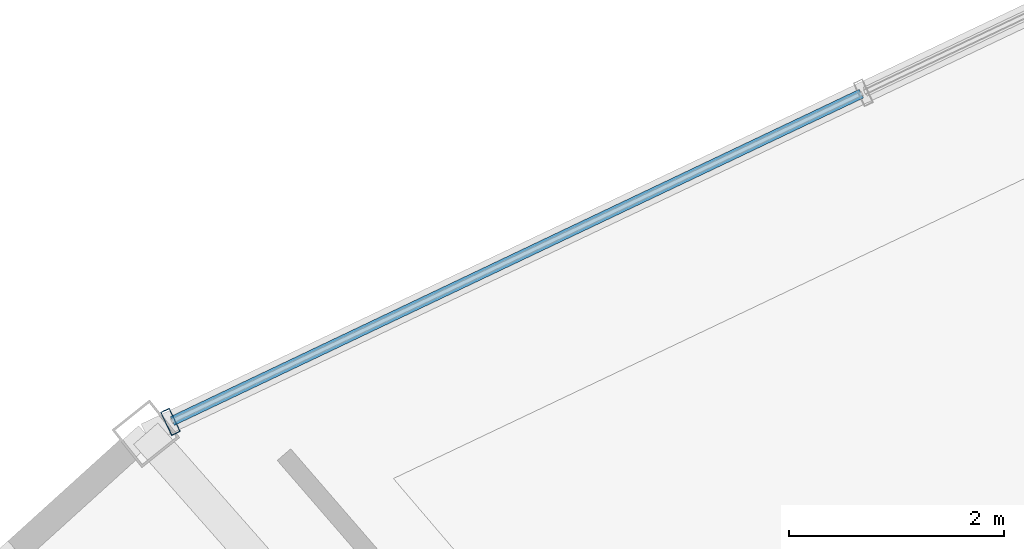
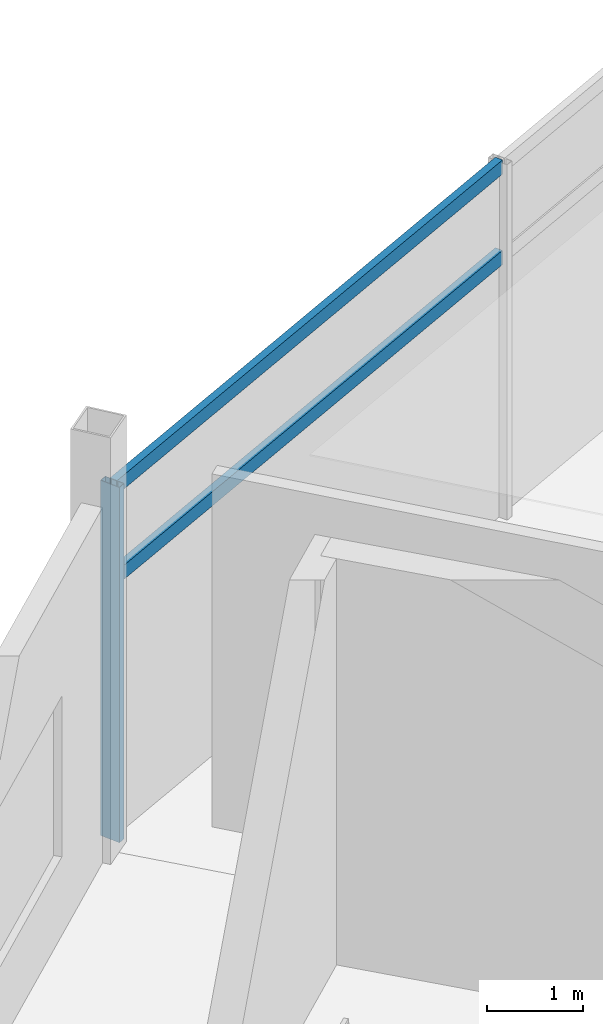
# One storey, part 51 of 103: 3 members, 1 element without a shape of its own.
"""IFC4 building model written with IfcOpenShell, lengths in metres."""

import ifcopenshell
import ifcopenshell.guid

model = None  # the IFC model being written
_history = None  # IfcOwnerHistory: only IFC2X3 demands one
_inside = {}  # id of a spatial element -> (the spatial element, [elements in it])
_under = {}  # id of a project, library or spatial element -> (it, [spatial elements below it])
_declared = {}  # id of a project -> (the project, [libraries it declares])
_typed = {}  # id of a type object -> (the type object, [elements of that type])
_made_of = {}  # id of a material, layer set ... -> (it, [elements and type objects made of it])


def new_model(schema):
    """Start an empty IFC model of exactly this schema.

    Asked for "IFC4X3", IfcOpenShell would pick the latest addendum, in which some entities
    have other attributes; the version numbers below select the first issue.
    IFC2X3 requires an IfcOwnerHistory on every rooted entity: one is made here for all.
    """
    global model, _history
    if schema == "IFC4X3":
        model = ifcopenshell.file(schema_version=(4, 3, 0, 0))
    else:
        model = ifcopenshell.file(schema=schema)
    _inside.clear()
    _under.clear()
    _declared.clear()
    _typed.clear()
    _made_of.clear()
    _history = None
    if model.schema == "IFC2X3":
        org = make("IfcOrganization", Name="unknown")
        user = make(
            "IfcPersonAndOrganization",
            ThePerson=make("IfcPerson", FamilyName="unknown"),
            TheOrganization=org,
        )
        app = make(
            "IfcApplication",
            ApplicationDeveloper=org,
            Version="unknown",
            ApplicationFullName="unknown",
            ApplicationIdentifier="unknown",
        )
        _history = make(
            "IfcOwnerHistory",
            OwningUser=user,
            OwningApplication=app,
            ChangeAction="ADDED",
            CreationDate=0,
        )
    return model


def make(cls, **values):
    """One entity of the class cls with the attributes given. An attribute that is None is left unset."""
    return model.create_entity(
        cls, **{name: value for name, value in values.items() if value is not None}
    )


def rooted(cls, **values):
    """An entity with a GlobalId (a new one), such as an element, a storey or a relation."""
    return make(cls, GlobalId=ifcopenshell.guid.new(), OwnerHistory=_history, **values)


def si_unit(unit_type, name, prefix=None):
    """IfcSIUnit, for example si_unit("LENGTHUNIT", "METRE", prefix="MILLI")."""
    return make("IfcSIUnit", UnitType=unit_type, Prefix=prefix, Name=name)


def assignment(units):
    """IfcUnitAssignment: the units of a project."""
    return None if units is None else make("IfcUnitAssignment", Units=units)


def point(xyz):
    """IfcCartesianPoint."""
    return None if xyz is None else make("IfcCartesianPoint", Coordinates=xyz)


def direction(xyz):
    """IfcDirection."""
    return None if xyz is None else make("IfcDirection", DirectionRatios=xyz)


def frame(location, z_axis=None, x_axis=None):
    """IfcAxis2Placement3D, a coordinate frame: its origin and axes. An axis left out is left unset."""
    return make(
        "IfcAxis2Placement3D",
        Location=point(location),
        Axis=direction(z_axis),
        RefDirection=direction(x_axis),
    )


def frame_2d(location, x_axis=None):
    """IfcAxis2Placement2D, a coordinate frame in the plane: its origin and x axis."""
    return make(
        "IfcAxis2Placement2D", Location=point(location), RefDirection=direction(x_axis)
    )


def origin():
    """The frame at (0, 0, 0) with its axes left unset."""
    return frame((0.0, 0.0, 0.0))


def origin_2d():
    """The frame at (0, 0) in the plane with its x axis left unset."""
    return frame_2d((0.0, 0.0))


def place(relative_to, where):
    """IfcLocalPlacement: puts the frame where relative to a parent placement (None: the world)."""
    return make(
        "IfcLocalPlacement", PlacementRelTo=relative_to, RelativePlacement=where
    )


def context(
    kind, dimensions, precision=None, world=None, true_north=None, identifier=None
):
    """IfcGeometricRepresentationContext, for example the 3D "Model" context."""
    return make(
        "IfcGeometricRepresentationContext",
        ContextIdentifier=identifier,
        ContextType=kind,
        CoordinateSpaceDimension=dimensions,
        Precision=precision,
        WorldCoordinateSystem=world,
        TrueNorth=true_north,
    )


def subcontext(parent, identifier, kind, view, scale=None):
    """IfcGeometricRepresentationSubContext, for example "Body" below "Model"."""
    return make(
        "IfcGeometricRepresentationSubContext",
        ContextIdentifier=identifier,
        ContextType=kind,
        ParentContext=parent,
        TargetScale=scale,
        TargetView=view,
    )


def project(units=None, contexts=None):
    """IfcProject with its units and contexts."""
    return rooted(
        "IfcProject",
        Name="project",
        RepresentationContexts=contexts,
        UnitsInContext=assignment(units),
    )


def spatial(cls, under=None, at=None, **own):
    """A site, building, storey or space (cls), placed at a placement, below another one or the project."""
    s = rooted(cls, ObjectPlacement=at, **own)
    if under is not None:
        _under.setdefault(under.id(), (under, []))[1].append(s)
    return s


def profile(cls, at=None, kind="AREA", **sizes):
    """A parametric profile (cls). Its sizes go by their IFC names, for example OverallWidth=200.0."""
    return make(cls, ProfileType=kind, Position=at, **sizes)


def hollow_rectangle(**sizes):
    """IfcRectangleHollowProfileDef."""
    return profile("IfcRectangleHollowProfileDef", **sizes)


def extrude(swept, where, along, depth):
    """IfcExtrudedAreaSolid: the profile swept, set in the frame where, extruded along a direction by depth."""
    return make(
        "IfcExtrudedAreaSolid",
        SweptArea=swept,
        Position=where,
        ExtrudedDirection=direction(along),
        Depth=depth,
    )


def shape(context_of_items, identifier, shape_type, items):
    """IfcShapeRepresentation: the items that make up one representation, for example the "Body"."""
    return make(
        "IfcShapeRepresentation",
        ContextOfItems=context_of_items,
        RepresentationIdentifier=identifier,
        RepresentationType=shape_type,
        Items=items,
    )


def material(Name=None, Category=None):
    """IfcMaterial."""
    return make("IfcMaterial", Name=Name, Category=Category)


def layer(
    of_material, thickness, ventilated=None, Name=None, Category=None, Priority=None
):
    """IfcMaterialLayer: one layer of a wall or slab, of a material (None: an air gap)."""
    return make(
        "IfcMaterialLayer",
        Material=of_material,
        LayerThickness=thickness,
        IsVentilated=ventilated,
        Name=Name,
        Category=Category,
        Priority=Priority,
    )


def layer_set(layers, Name=None):
    """IfcMaterialLayerSet."""
    return make("IfcMaterialLayerSet", MaterialLayers=layers, LayerSetName=Name)


def material_profile(
    of_material, cross_section, Name=None, Category=None, Priority=None
):
    """IfcMaterialProfile: a cross section and its material."""
    return make(
        "IfcMaterialProfile",
        Name=Name,
        Material=of_material,
        Profile=cross_section,
        Priority=Priority,
        Category=Category,
    )


def profile_set(profiles, Name=None, composite=None):
    """IfcMaterialProfileSet."""
    return make(
        "IfcMaterialProfileSet",
        Name=Name,
        MaterialProfiles=profiles,
        CompositeProfile=composite,
    )


def made_of(thing, what):
    """Note that an element or type object is made of a material, layer set ...; save() writes the relation."""
    if what is not None:
        _made_of.setdefault(what.id(), (what, []))[1].append(thing)
    return thing


def type_object(cls, material=None, **own):
    """A type object (cls), such as IfcWallType, which elements share."""
    return made_of(rooted(cls, **own), material)


def element(
    cls,
    number,
    at=None,
    inside=None,
    cuts=None,
    type_object=None,
    material=None,
    context=None,
    identifier="Body",
    shape_type=None,
    held_by="IfcProductDefinitionShape",
    body=None,
    shapes=None,
    **own,
):
    """One element of the class cls, such as IfcWall. Its Tag is "e" and its number.

    at: its placement. inside: the storey or other place that contains it. cuts: it is an
    opening in that element (IfcRelVoidsElement). A single representation is given by context,
    identifier, shape_type and body (its items); several are given by shapes. held_by: the class
    of the entity that holds the representations. save() writes the other relations.
    """
    e = rooted(cls, Tag="e%d" % number, ObjectPlacement=at, **own)
    if body is not None:
        shapes = [shape(context, identifier, shape_type, body)]
    if shapes is not None:
        e.Representation = make(held_by, Representations=shapes)
    if inside is not None:
        _inside.setdefault(inside.id(), (inside, []))[1].append(e)
    if cuts is not None:
        rooted(
            "IfcRelVoidsElement", RelatingBuildingElement=cuts, RelatedOpeningElement=e
        )
    if type_object is not None:
        _typed.setdefault(type_object.id(), (type_object, []))[1].append(e)
    return made_of(e, material)


def aggregate(whole, parts):
    """IfcRelAggregates: a whole, such as a stair, and the parts it consists of."""
    return rooted("IfcRelAggregates", RelatingObject=whole, RelatedObjects=parts)


def save(model, path):
    """Write the relations noted so far, then the file.

    IfcRelAggregates (storeys below a building ...), IfcRelContainedInSpatialStructure (elements
    in a storey), IfcRelDefinesByType, IfcRelAssociatesMaterial and IfcRelDeclares: one each for
    every whole, place, type object, material and project.
    """
    for whole, parts in _under.values():
        aggregate(whole, parts)
    for where, things in _inside.values():
        rooted(
            "IfcRelContainedInSpatialStructure",
            RelatedElements=things,
            RelatingStructure=where,
        )
    for kind, things in _typed.values():
        rooted("IfcRelDefinesByType", RelatedObjects=things, RelatingType=kind)
    for what, things in _made_of.values():
        rooted("IfcRelAssociatesMaterial", RelatedObjects=things, RelatingMaterial=what)
    for by, libraries in _declared.values():
        rooted("IfcRelDeclares", RelatingContext=by, RelatedDefinitions=libraries)
    model.write(path)


model = new_model("IFC4")

# Units and contexts
model_context = context("Model", 3, precision=1e-05, world=origin(), true_north=direction((0.0, 1.0)))
body_context = subcontext(model_context, "Body", "Model", "MODEL_VIEW")
ifc_project = project(units=[si_unit("LENGTHUNIT", "METRE"), si_unit("AREAUNIT", "SQUARE_METRE"), si_unit("VOLUMEUNIT", "CUBIC_METRE"), si_unit("PLANEANGLEUNIT", "RADIAN"), si_unit("MASSUNIT", "GRAM", prefix="KILO")], contexts=[model_context])

# Site, building, storey
site_placement = place(None, origin())
site = spatial("IfcSite", under=ifc_project, at=site_placement, CompositionType="ELEMENT")
building_placement = place(site_placement, origin())
building = spatial("IfcBuilding", under=site, at=building_placement, Name="Kazemori Nagisa Stadium", CompositionType="ELEMENT")
storey_placement = place(building_placement, frame((0.0, 0.0, 25.840087890625)))
storey = spatial("IfcBuildingStorey", under=building, at=storey_placement, Name="L05", CompositionType="ELEMENT", Elevation=25.840087890625)

# Curtain wall, members
ifc_material_1 = material(Name="Anodised aluminium 6063-T5", Category="aluminium")
ifc_layer = layer(ifc_material_1, 0.239990234375, Name="Anodised aluminium 6063-T5", Category="aluminium")
ifc_layer_set = layer_set([ifc_layer], Name="Anodised aluminium 6063-T5")
curtain_wall_type = type_object("IfcCurtainWallType", Name="CW_L05R3_107", PredefinedType="USERDEFINED", material=ifc_layer_set)
curtain_wall_placement = place(storey_placement, origin())
curtain_wall = element("IfcCurtainWall", 1, at=curtain_wall_placement, inside=storey, type_object=curtain_wall_type, Name="Unitised curtain wall CW-L05R3-107 L05", ObjectType="UNITISED CURTAIN WALL", PredefinedType="USERDEFINED")
ifc_material_2 = material(Name="Aluminium 6063-T5 anodised", Category="aluminium")
ifc_material_profile_1 = material_profile(ifc_material_2, hollow_rectangle(XDim=0.090087890625, YDim=0.239990234375, WallThickness=0.0048828125, at=origin_2d()), Name="ALU-MULL-90x240x5")
ifc_profile_set_1 = profile_set([ifc_material_profile_1], Name="Aluminium 6063-T5 anodised")
member_type_1 = type_object("IfcMemberType", Name="Mullion_M03", PredefinedType="MULLION", material=ifc_profile_set_1)
member_1_placement = place(storey_placement, frame((60.63232421875, 173.16845703125, 0.0), z_axis=(0.0, 0.0, 1.0), x_axis=(-0.903215892654, -0.429186499388, 0.0)))
member_1 = element("IfcMember", 2, at=member_1_placement, type_object=member_type_1, Name="Curtain wall mullion CW-L05R3-107-M4", PredefinedType="MULLION", context=body_context, shape_type="SweptSolid", body=[
    extrude(hollow_rectangle(XDim=0.090087890625, YDim=0.239990234375, WallThickness=0.0048828125, at=origin_2d()), origin(), (0.0, 0.0, 1.0), 4.530029296875),
])
ifc_material_profile_2 = material_profile(ifc_material_2, hollow_rectangle(XDim=0.090087890625, YDim=0.179931640625, WallThickness=0.0048828125, at=origin_2d()), Name="ALU-TRAN-90x180x5")
ifc_profile_set_2 = profile_set([ifc_material_profile_2], Name="Aluminium 6063-T5 anodised")
member_type_2 = type_object("IfcMemberType", Name="Transom_T03", PredefinedType="USERDEFINED", material=ifc_profile_set_2)
member_2_placement = place(storey_placement, frame((67.05859375, 176.221923828125, 3.306884765625), z_axis=(-0.903221484367, -0.429174731523, 0.0), x_axis=(0.429174731523, -0.903221484367, 0.0)))
member_2 = element("IfcMember", 3, at=member_2_placement, type_object=member_type_2, Name="Curtain wall transom CW-L05R3-107-T3-mid", ObjectType="TRANSOM", PredefinedType="USERDEFINED", context=body_context, shape_type="SweptSolid", body=[
    extrude(hollow_rectangle(XDim=0.090087890625, YDim=0.179931640625, WallThickness=0.0048828125, at=origin_2d()), origin(), (0.0, 0.0, 1.0), 7.0947265625),
])
member_3_placement = place(storey_placement, frame((67.05859375, 176.221923828125, 4.4599609375), z_axis=(-0.903221484367, -0.429174731523, 0.0), x_axis=(0.429174731523, -0.903221484367, 0.0)))
member_3 = element("IfcMember", 4, at=member_3_placement, type_object=member_type_2, Name="Curtain wall transom CW-L05R3-107-T3-head", ObjectType="TRANSOM", PredefinedType="USERDEFINED", context=body_context, shape_type="SweptSolid", body=[
    extrude(hollow_rectangle(XDim=0.090087890625, YDim=0.179931640625, WallThickness=0.0048828125, at=origin_2d()), origin(), (0.0, 0.0, 1.0), 7.0947265625),
])
aggregate(curtain_wall, [member_1, member_2, member_3])

save(model, "model.ifc")
